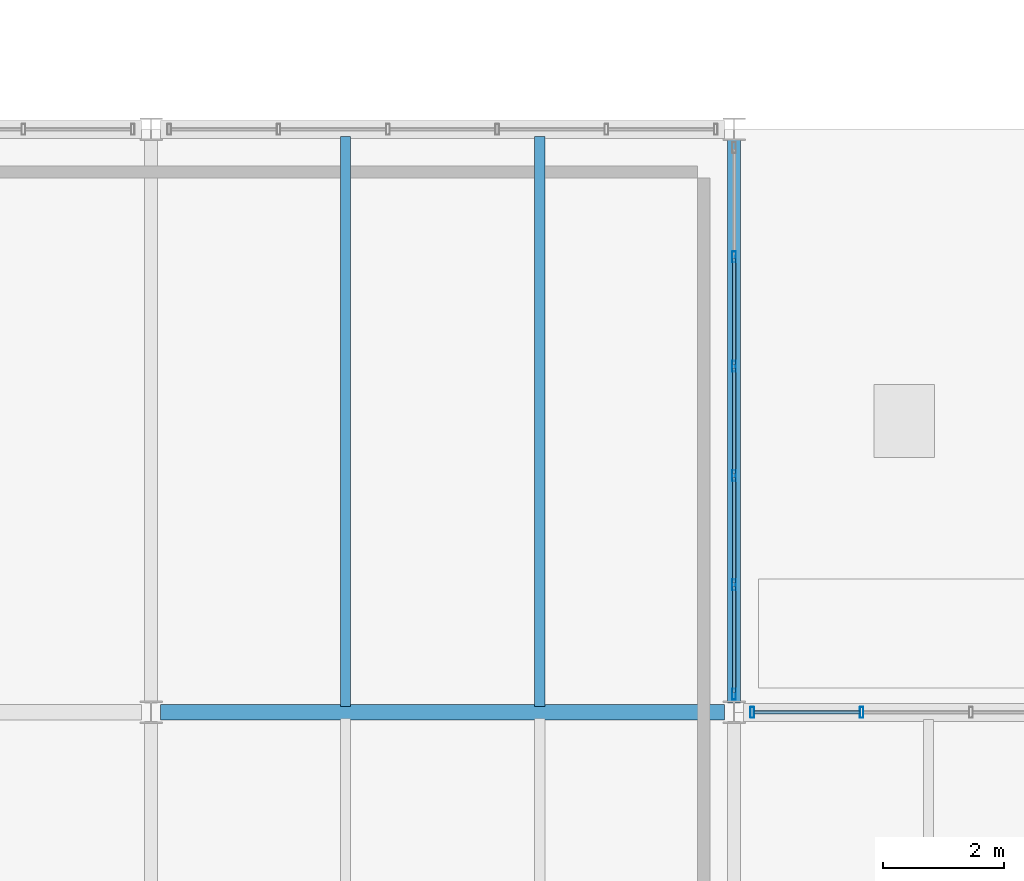
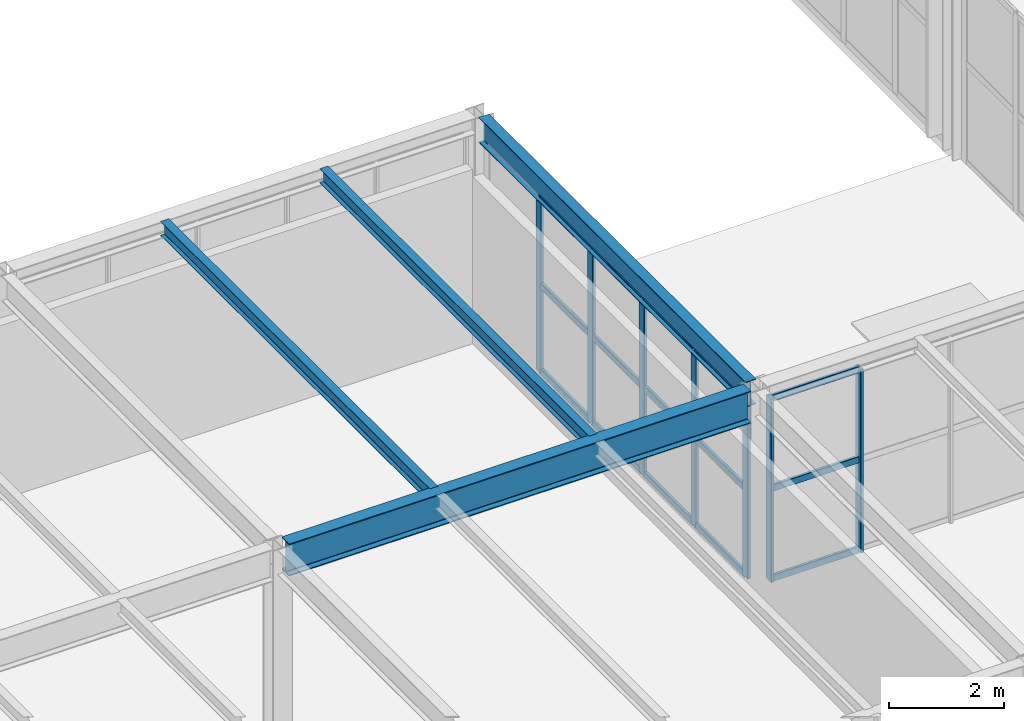
# One storey, part 48 of 170: 22 members, 4 beams, 2 elements without a shape of their own.
"""IFC4 building model written with IfcOpenShell, lengths in metres."""

from ifc_helpers import new_model, si_unit, direction, frame, origin, origin_2d, place, context, subcontext, project, spatial, hollow_rectangle, i_section, extrude, material, material_profile, profile_set, type_object, element, aggregate, save


model = new_model("IFC4")

# Units and contexts
model_context = context("Model", 3, precision=1e-05, world=origin(), true_north=direction((0.0, 1.0)))
body_context = subcontext(model_context, "Body", "Model", "MODEL_VIEW")
ifc_project = project(units=[si_unit("LENGTHUNIT", "METRE"), si_unit("AREAUNIT", "SQUARE_METRE"), si_unit("VOLUMEUNIT", "CUBIC_METRE"), si_unit("PLANEANGLEUNIT", "RADIAN"), si_unit("MASSUNIT", "GRAM", prefix="KILO")], contexts=[model_context])

# Site, building, storey
site_placement = place(None, origin())
site = spatial("IfcSite", under=ifc_project, at=site_placement, CompositionType="ELEMENT")
building_placement = place(site_placement, origin())
building = spatial("IfcBuilding", under=site, at=building_placement, Name="Coralgate Yard Interchange", CompositionType="ELEMENT")
storey_placement = place(building_placement, frame((0.0, 0.0, 6.0)))
storey = spatial("IfcBuildingStorey", under=building, at=storey_placement, Name="L01", CompositionType="ELEMENT", Elevation=6.0)

# Beams
ifc_material_1 = material(Name="Structural steel S355J2", Category="steel")
ifc_material_profile_1 = material_profile(ifc_material_1, i_section(OverallWidth=0.209228515625, OverallDepth=0.533203125, WebThickness=0.010009765625, FlangeThickness=0.015625, FilletRadius=0.0126953125, at=origin_2d()), Name="UB 533x210x92")
ifc_profile_set_1 = profile_set([ifc_material_profile_1], Name="Structural steel S355J2")
beam_type_1 = type_object("IfcBeamType", Name="BM-SB-1", PredefinedType="BEAM", material=ifc_profile_set_1)
beam_1_placement = place(storey_placement, frame((28.800048828125, 48.154052734375, 3.9833984375), z_axis=(0.0, 1.0, 0.0), x_axis=(-1.0, 0.0, 0.0)))
element("IfcBeam", 1, at=beam_1_placement, inside=storey, type_object=beam_type_1, Name="L01 primary grid girder X3 Y5-6", PredefinedType="BEAM", context=body_context, shape_type="SweptSolid", body=[
    extrude(i_section(OverallWidth=0.209228515625, OverallDepth=0.533203125, WebThickness=0.010009765625, FlangeThickness=0.015625, FilletRadius=0.0126953125, at=origin_2d()), origin(), (0.0, 0.0, 1.0), 9.291748046875),
])
ifc_material_profile_2 = material_profile(ifc_material_1, i_section(OverallWidth=0.253662109375, OverallDepth=0.68359375, WebThickness=0.012451171875, FlangeThickness=0.01904296875, FilletRadius=0.01513671875, at=origin_2d()), Name="UB 686x254x140")
ifc_profile_set_2 = profile_set([ifc_material_profile_2], Name="Structural steel S355J2")
beam_type_2 = type_object("IfcBeamType", Name="BM-SG-4", PredefinedType="BEAM", material=ifc_profile_set_2)
beam_2_placement = place(storey_placement, frame((19.356201171875, 48.0, 3.908203125), z_axis=(1.0, 0.0, 0.0), x_axis=(0.0, 1.0, 0.0)))
element("IfcBeam", 2, at=beam_2_placement, inside=storey, type_object=beam_type_2, Name="L01 primary grid beam Y5 X2-3", PredefinedType="BEAM", context=body_context, shape_type="SweptSolid", body=[
    extrude(i_section(OverallWidth=0.253662109375, OverallDepth=0.68359375, WebThickness=0.012451171875, FlangeThickness=0.01904296875, FilletRadius=0.01513671875, at=origin_2d()), origin(), (0.0, 0.0, 1.0), 9.28759765625),
])
ifc_material_profile_3 = material_profile(ifc_material_1, i_section(OverallWidth=0.1650390625, OverallDepth=0.303466796875, WebThickness=0.006103515625, FlangeThickness=0.01025390625, FilletRadius=0.0087890625, at=origin_2d()), Name="UB 305x165x40")
ifc_profile_set_3 = profile_set([ifc_material_profile_3], Name="Structural steel S355J2")
beam_type_3 = type_object("IfcBeamType", Name="BM-SJ-1", PredefinedType="JOIST", material=ifc_profile_set_3)
for number, where, z_axis, x_axis, name in (
    (3, (22.39990234375, 48.096923828125, 4.098388671875), (0.0, 1.0, 0.0), (-1.0, 0.0, 0.0), "L01 composite floor joist 2-5-1"),
    (4, (25.60009765625, 48.096923828125, 4.098388671875), (0.0, 1.0, 0.0), (-1.0, 0.0, 0.0), "L01 composite floor joist 2-5-2"),
):
    element("IfcBeam", number, at=place(storey_placement, frame(where, z_axis=z_axis, x_axis=x_axis)), inside=storey, type_object=beam_type_3, Name=name, PredefinedType="JOIST", context=body_context, shape_type="SweptSolid", body=[
        extrude(i_section(OverallWidth=0.1650390625, OverallDepth=0.303466796875, WebThickness=0.006103515625, FlangeThickness=0.01025390625, FilletRadius=0.0087890625, at=origin_2d()), origin(), (0.0, 0.0, 1.0), 9.383056640625),
    ])

# Curtain wall, members
ifc_material_2 = material(Name="Anodised coastal aluminium and solar-control low-E glass", Category="aluminium")
curtain_wall_type = type_object("IfcCurtainWallType", Name="CW-CW-L01-A", PredefinedType="NOTDEFINED", material=ifc_material_2)
curtain_wall_1_placement = place(storey_placement, origin())
curtain_wall_1 = element("IfcCurtainWall", 5, at=curtain_wall_1_placement, inside=storey, type_object=curtain_wall_type, Name="L01 unitised curtain wall CW-L01-E-02-05", PredefinedType="NOTDEFINED")
ifc_material_3 = material(Name="Anodised coastal aluminium 6063-T6", Category="aluminium")
ifc_material_profile_4 = material_profile(ifc_material_3, hollow_rectangle(XDim=0.06005859375, YDim=0.179931640625, WallThickness=0.00390625, InnerFilletRadius=0.00390625, OuterFilletRadius=0.008056640625, at=origin_2d()), Name="ALU 60x180x4")
ifc_profile_set_4 = profile_set([ifc_material_profile_4], Name="Anodised coastal aluminium 6063-T6")
member_type_1 = type_object("IfcMemberType", Name="MB-MUL-180", PredefinedType="MULLION", material=ifc_profile_set_4)
member_1_placement = place(storey_placement, frame((28.800048828125, 55.5, 0.0), z_axis=(0.0, 0.0, 1.0), x_axis=(1.0, 0.0, 0.0)))
member_1 = element("IfcMember", 6, at=member_1_placement, type_object=member_type_1, Name="CW-L01-E-02-05 vertical mullion 2", PredefinedType="MULLION", context=body_context, shape_type="SweptSolid", body=[
    extrude(hollow_rectangle(XDim=0.06005859375, YDim=0.179931640625, WallThickness=0.00390625, InnerFilletRadius=0.00390625, OuterFilletRadius=0.008056640625, at=origin_2d()), origin(), (0.0, 0.0, 1.0), 3.716796875),
])
member_2_placement = place(storey_placement, frame((28.800048828125, 53.699951171875, 0.0), z_axis=(0.0, 0.0, 1.0), x_axis=(1.0, 0.0, 0.0)))
member_2 = element("IfcMember", 7, at=member_2_placement, type_object=member_type_1, Name="CW-L01-E-02-05 vertical mullion 3", PredefinedType="MULLION", context=body_context, shape_type="SweptSolid", body=[
    extrude(hollow_rectangle(XDim=0.06005859375, YDim=0.179931640625, WallThickness=0.00390625, InnerFilletRadius=0.00390625, OuterFilletRadius=0.008056640625, at=origin_2d()), origin(), (0.0, 0.0, 1.0), 3.716796875),
])
member_3_placement = place(storey_placement, frame((28.800048828125, 51.89990234375, 0.0), z_axis=(0.0, 0.0, 1.0), x_axis=(1.0, 0.0, 0.0)))
member_3 = element("IfcMember", 8, at=member_3_placement, type_object=member_type_1, Name="CW-L01-E-02-05 vertical mullion 4", PredefinedType="MULLION", context=body_context, shape_type="SweptSolid", body=[
    extrude(hollow_rectangle(XDim=0.06005859375, YDim=0.179931640625, WallThickness=0.00390625, InnerFilletRadius=0.00390625, OuterFilletRadius=0.008056640625, at=origin_2d()), origin(), (0.0, 0.0, 1.0), 3.716796875),
])
member_4_placement = place(storey_placement, frame((28.800048828125, 50.10009765625, 0.0), z_axis=(0.0, 0.0, 1.0), x_axis=(1.0, 0.0, 0.0)))
member_4 = element("IfcMember", 9, at=member_4_placement, type_object=member_type_1, Name="CW-L01-E-02-05 vertical mullion 5", PredefinedType="MULLION", context=body_context, shape_type="SweptSolid", body=[
    extrude(hollow_rectangle(XDim=0.06005859375, YDim=0.179931640625, WallThickness=0.00390625, InnerFilletRadius=0.00390625, OuterFilletRadius=0.008056640625, at=origin_2d()), origin(), (0.0, 0.0, 1.0), 3.716796875),
])
member_5_placement = place(storey_placement, frame((28.800048828125, 48.300048828125, 0.0), z_axis=(0.0, 0.0, 1.0), x_axis=(1.0, 0.0, 0.0)))
member_5 = element("IfcMember", 10, at=member_5_placement, type_object=member_type_1, Name="CW-L01-E-02-05 vertical mullion 6", PredefinedType="MULLION", context=body_context, shape_type="SweptSolid", body=[
    extrude(hollow_rectangle(XDim=0.06005859375, YDim=0.179931640625, WallThickness=0.00390625, InnerFilletRadius=0.00390625, OuterFilletRadius=0.008056640625, at=origin_2d()), origin(), (0.0, 0.0, 1.0), 3.716796875),
])

curtain_wall_2_placement = place(storey_placement, origin())
curtain_wall_2 = element("IfcCurtainWall", 11, at=curtain_wall_2_placement, inside=storey, type_object=curtain_wall_type, Name="L01 unitised curtain wall CW-L01-N-03-04", PredefinedType="NOTDEFINED")
member_6_placement = place(storey_placement, frame((29.10009765625, 48.0, 0.0), z_axis=(0.0, 0.0, 1.0), x_axis=(1.0, 0.0, 0.0)))
member_6 = element("IfcMember", 12, at=member_6_placement, type_object=member_type_1, Name="CW-L01-N-03-04 vertical mullion 1", PredefinedType="MULLION", context=body_context, shape_type="SweptSolid", body=[
    extrude(hollow_rectangle(XDim=0.06005859375, YDim=0.179931640625, WallThickness=0.00390625, InnerFilletRadius=0.00390625, OuterFilletRadius=0.008056640625, at=origin_2d()), origin(), (0.0, 0.0, 1.0), 3.89990234375),
])
member_7_placement = place(storey_placement, frame((30.89990234375, 48.0, 0.0), z_axis=(0.0, 0.0, 1.0), x_axis=(1.0, 0.0, 0.0)))
member_7 = element("IfcMember", 13, at=member_7_placement, type_object=member_type_1, Name="CW-L01-N-03-04 vertical mullion 2", PredefinedType="MULLION", context=body_context, shape_type="SweptSolid", body=[
    extrude(hollow_rectangle(XDim=0.06005859375, YDim=0.179931640625, WallThickness=0.00390625, InnerFilletRadius=0.00390625, OuterFilletRadius=0.008056640625, at=origin_2d()), origin(), (0.0, 0.0, 1.0), 3.89990234375),
])

# Member
ifc_material_profile_5 = material_profile(ifc_material_3, hollow_rectangle(XDim=0.06005859375, YDim=0.139892578125, WallThickness=0.00341796875, InnerFilletRadius=0.00341796875, OuterFilletRadius=0.007080078125, at=origin_2d()), Name="ALU 60x140x3.5")
ifc_profile_set_5 = profile_set([ifc_material_profile_5], Name="Anodised coastal aluminium 6063-T6")
member_type_2 = type_object("IfcMemberType", Name="MB-TRN-140", PredefinedType="USERDEFINED", material=ifc_profile_set_5)
member_8_placement = place(storey_placement, frame((28.800048828125, 55.469970703125, 0.034912109375), z_axis=(0.0, -1.0, 0.0), x_axis=(1.0, 0.0, 0.0)))
member_8 = element("IfcMember", 14, at=member_8_placement, type_object=member_type_2, Name="CW-L01-E-02-05 horizontal transom 2-1", ObjectType="TRANSOM", PredefinedType="USERDEFINED", context=body_context, shape_type="SweptSolid", body=[
    extrude(hollow_rectangle(XDim=0.06005859375, YDim=0.139892578125, WallThickness=0.00341796875, InnerFilletRadius=0.00341796875, OuterFilletRadius=0.007080078125, at=origin_2d()), origin(), (0.0, 0.0, 1.0), 1.739990234375),
])

member_9_placement = place(storey_placement, frame((28.800048828125, 55.469970703125, 1.8583984375), z_axis=(0.0, -1.0, 0.0), x_axis=(1.0, 0.0, 0.0)))
member_9 = element("IfcMember", 15, at=member_9_placement, type_object=member_type_2, Name="CW-L01-E-02-05 horizontal transom 2-2", ObjectType="TRANSOM", PredefinedType="USERDEFINED", context=body_context, shape_type="SweptSolid", body=[
    extrude(hollow_rectangle(XDim=0.06005859375, YDim=0.139892578125, WallThickness=0.00341796875, InnerFilletRadius=0.00341796875, OuterFilletRadius=0.007080078125, at=origin_2d()), origin(), (0.0, 0.0, 1.0), 1.739990234375),
])

member_10_placement = place(storey_placement, frame((28.800048828125, 55.469970703125, 3.681884765625), z_axis=(0.0, -1.0, 0.0), x_axis=(1.0, 0.0, 0.0)))
member_10 = element("IfcMember", 16, at=member_10_placement, type_object=member_type_2, Name="CW-L01-E-02-05 horizontal transom 2-3", ObjectType="TRANSOM", PredefinedType="USERDEFINED", context=body_context, shape_type="SweptSolid", body=[
    extrude(hollow_rectangle(XDim=0.06005859375, YDim=0.139892578125, WallThickness=0.00341796875, InnerFilletRadius=0.00341796875, OuterFilletRadius=0.007080078125, at=origin_2d()), origin(), (0.0, 0.0, 1.0), 1.739990234375),
])

member_11_placement = place(storey_placement, frame((28.800048828125, 53.669921875, 0.034912109375), z_axis=(0.0, -1.0, 0.0), x_axis=(1.0, 0.0, 0.0)))
member_11 = element("IfcMember", 17, at=member_11_placement, type_object=member_type_2, Name="CW-L01-E-02-05 horizontal transom 3-1", ObjectType="TRANSOM", PredefinedType="USERDEFINED", context=body_context, shape_type="SweptSolid", body=[
    extrude(hollow_rectangle(XDim=0.06005859375, YDim=0.139892578125, WallThickness=0.00341796875, InnerFilletRadius=0.00341796875, OuterFilletRadius=0.007080078125, at=origin_2d()), origin(), (0.0, 0.0, 1.0), 1.739990234375),
])

member_12_placement = place(storey_placement, frame((28.800048828125, 53.669921875, 1.8583984375), z_axis=(0.0, -1.0, 0.0), x_axis=(1.0, 0.0, 0.0)))
member_12 = element("IfcMember", 18, at=member_12_placement, type_object=member_type_2, Name="CW-L01-E-02-05 horizontal transom 3-2", ObjectType="TRANSOM", PredefinedType="USERDEFINED", context=body_context, shape_type="SweptSolid", body=[
    extrude(hollow_rectangle(XDim=0.06005859375, YDim=0.139892578125, WallThickness=0.00341796875, InnerFilletRadius=0.00341796875, OuterFilletRadius=0.007080078125, at=origin_2d()), origin(), (0.0, 0.0, 1.0), 1.739990234375),
])

member_13_placement = place(storey_placement, frame((28.800048828125, 53.669921875, 3.681884765625), z_axis=(0.0, -1.0, 0.0), x_axis=(1.0, 0.0, 0.0)))
member_13 = element("IfcMember", 19, at=member_13_placement, type_object=member_type_2, Name="CW-L01-E-02-05 horizontal transom 3-3", ObjectType="TRANSOM", PredefinedType="USERDEFINED", context=body_context, shape_type="SweptSolid", body=[
    extrude(hollow_rectangle(XDim=0.06005859375, YDim=0.139892578125, WallThickness=0.00341796875, InnerFilletRadius=0.00341796875, OuterFilletRadius=0.007080078125, at=origin_2d()), origin(), (0.0, 0.0, 1.0), 1.739990234375),
])

member_14_placement = place(storey_placement, frame((28.800048828125, 51.8701171875, 0.034912109375), z_axis=(0.0, -1.0, 0.0), x_axis=(1.0, 0.0, 0.0)))
member_14 = element("IfcMember", 20, at=member_14_placement, type_object=member_type_2, Name="CW-L01-E-02-05 horizontal transom 4-1", ObjectType="TRANSOM", PredefinedType="USERDEFINED", context=body_context, shape_type="SweptSolid", body=[
    extrude(hollow_rectangle(XDim=0.06005859375, YDim=0.139892578125, WallThickness=0.00341796875, InnerFilletRadius=0.00341796875, OuterFilletRadius=0.007080078125, at=origin_2d()), origin(), (0.0, 0.0, 1.0), 1.740234375),
])

member_15_placement = place(storey_placement, frame((28.800048828125, 51.8701171875, 1.8583984375), z_axis=(0.0, -1.0, 0.0), x_axis=(1.0, 0.0, 0.0)))
member_15 = element("IfcMember", 21, at=member_15_placement, type_object=member_type_2, Name="CW-L01-E-02-05 horizontal transom 4-2", ObjectType="TRANSOM", PredefinedType="USERDEFINED", context=body_context, shape_type="SweptSolid", body=[
    extrude(hollow_rectangle(XDim=0.06005859375, YDim=0.139892578125, WallThickness=0.00341796875, InnerFilletRadius=0.00341796875, OuterFilletRadius=0.007080078125, at=origin_2d()), origin(), (0.0, 0.0, 1.0), 1.740234375),
])

member_16_placement = place(storey_placement, frame((28.800048828125, 51.8701171875, 3.681884765625), z_axis=(0.0, -1.0, 0.0), x_axis=(1.0, 0.0, 0.0)))
member_16 = element("IfcMember", 22, at=member_16_placement, type_object=member_type_2, Name="CW-L01-E-02-05 horizontal transom 4-3", ObjectType="TRANSOM", PredefinedType="USERDEFINED", context=body_context, shape_type="SweptSolid", body=[
    extrude(hollow_rectangle(XDim=0.06005859375, YDim=0.139892578125, WallThickness=0.00341796875, InnerFilletRadius=0.00341796875, OuterFilletRadius=0.007080078125, at=origin_2d()), origin(), (0.0, 0.0, 1.0), 1.740234375),
])

member_17_placement = place(storey_placement, frame((28.800048828125, 50.070068359375, 0.034912109375), z_axis=(0.0, -1.0, 0.0), x_axis=(1.0, 0.0, 0.0)))
member_17 = element("IfcMember", 23, at=member_17_placement, type_object=member_type_2, Name="CW-L01-E-02-05 horizontal transom 5-1", ObjectType="TRANSOM", PredefinedType="USERDEFINED", context=body_context, shape_type="SweptSolid", body=[
    extrude(hollow_rectangle(XDim=0.06005859375, YDim=0.139892578125, WallThickness=0.00341796875, InnerFilletRadius=0.00341796875, OuterFilletRadius=0.007080078125, at=origin_2d()), origin(), (0.0, 0.0, 1.0), 1.739990234375),
])

member_18_placement = place(storey_placement, frame((28.800048828125, 50.070068359375, 1.8583984375), z_axis=(0.0, -1.0, 0.0), x_axis=(1.0, 0.0, 0.0)))
member_18 = element("IfcMember", 24, at=member_18_placement, type_object=member_type_2, Name="CW-L01-E-02-05 horizontal transom 5-2", ObjectType="TRANSOM", PredefinedType="USERDEFINED", context=body_context, shape_type="SweptSolid", body=[
    extrude(hollow_rectangle(XDim=0.06005859375, YDim=0.139892578125, WallThickness=0.00341796875, InnerFilletRadius=0.00341796875, OuterFilletRadius=0.007080078125, at=origin_2d()), origin(), (0.0, 0.0, 1.0), 1.739990234375),
])

member_19_placement = place(storey_placement, frame((28.800048828125, 50.070068359375, 3.681884765625), z_axis=(0.0, -1.0, 0.0), x_axis=(1.0, 0.0, 0.0)))
member_19 = element("IfcMember", 25, at=member_19_placement, type_object=member_type_2, Name="CW-L01-E-02-05 horizontal transom 5-3", ObjectType="TRANSOM", PredefinedType="USERDEFINED", context=body_context, shape_type="SweptSolid", body=[
    extrude(hollow_rectangle(XDim=0.06005859375, YDim=0.139892578125, WallThickness=0.00341796875, InnerFilletRadius=0.00341796875, OuterFilletRadius=0.007080078125, at=origin_2d()), origin(), (0.0, 0.0, 1.0), 1.739990234375),
])

aggregate(curtain_wall_1, [member_1, member_2, member_3, member_4, member_5, member_8, member_9, member_10, member_11, member_12, member_13, member_14, member_15, member_16, member_17, member_18, member_19])

member_20_placement = place(storey_placement, frame((29.1298828125, 48.0, 0.034912109375), z_axis=(1.0, 0.0, 0.0), x_axis=(0.0, 1.0, 0.0)))
member_20 = element("IfcMember", 26, at=member_20_placement, type_object=member_type_2, Name="CW-L01-N-03-04 horizontal transom 1-1", ObjectType="TRANSOM", PredefinedType="USERDEFINED", context=body_context, shape_type="SweptSolid", body=[
    extrude(hollow_rectangle(XDim=0.06005859375, YDim=0.139892578125, WallThickness=0.00341796875, InnerFilletRadius=0.00341796875, OuterFilletRadius=0.007080078125, at=origin_2d()), origin(), (0.0, 0.0, 1.0), 1.740234375),
])

member_21_placement = place(storey_placement, frame((29.1298828125, 48.0, 1.949951171875), z_axis=(1.0, 0.0, 0.0), x_axis=(0.0, 1.0, 0.0)))
member_21 = element("IfcMember", 27, at=member_21_placement, type_object=member_type_2, Name="CW-L01-N-03-04 horizontal transom 1-2", ObjectType="TRANSOM", PredefinedType="USERDEFINED", context=body_context, shape_type="SweptSolid", body=[
    extrude(hollow_rectangle(XDim=0.06005859375, YDim=0.139892578125, WallThickness=0.00341796875, InnerFilletRadius=0.00341796875, OuterFilletRadius=0.007080078125, at=origin_2d()), origin(), (0.0, 0.0, 1.0), 1.740234375),
])

member_22_placement = place(storey_placement, frame((29.1298828125, 48.0, 3.864990234375), z_axis=(1.0, 0.0, 0.0), x_axis=(0.0, 1.0, 0.0)))
member_22 = element("IfcMember", 28, at=member_22_placement, type_object=member_type_2, Name="CW-L01-N-03-04 horizontal transom 1-3", ObjectType="TRANSOM", PredefinedType="USERDEFINED", context=body_context, shape_type="SweptSolid", body=[
    extrude(hollow_rectangle(XDim=0.06005859375, YDim=0.139892578125, WallThickness=0.00341796875, InnerFilletRadius=0.00341796875, OuterFilletRadius=0.007080078125, at=origin_2d()), origin(), (0.0, 0.0, 1.0), 1.740234375),
])

aggregate(curtain_wall_2, [member_6, member_7, member_20, member_21, member_22])

save(model, "model.ifc")
